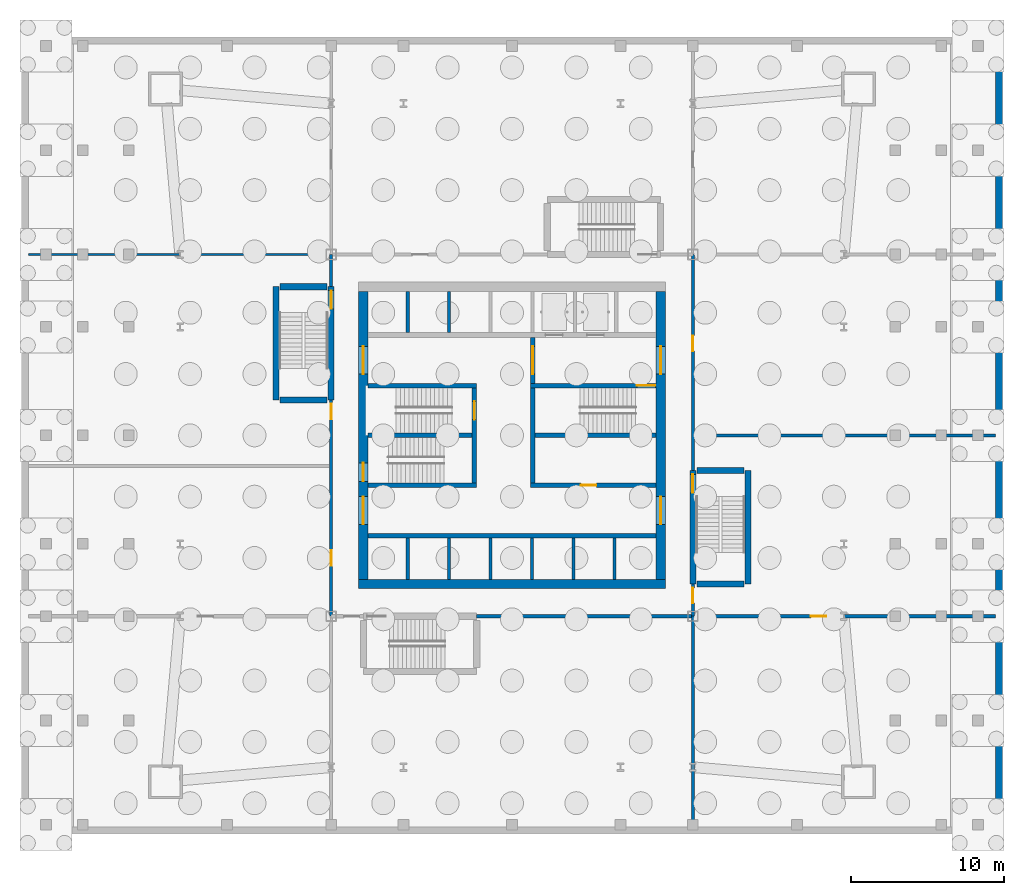
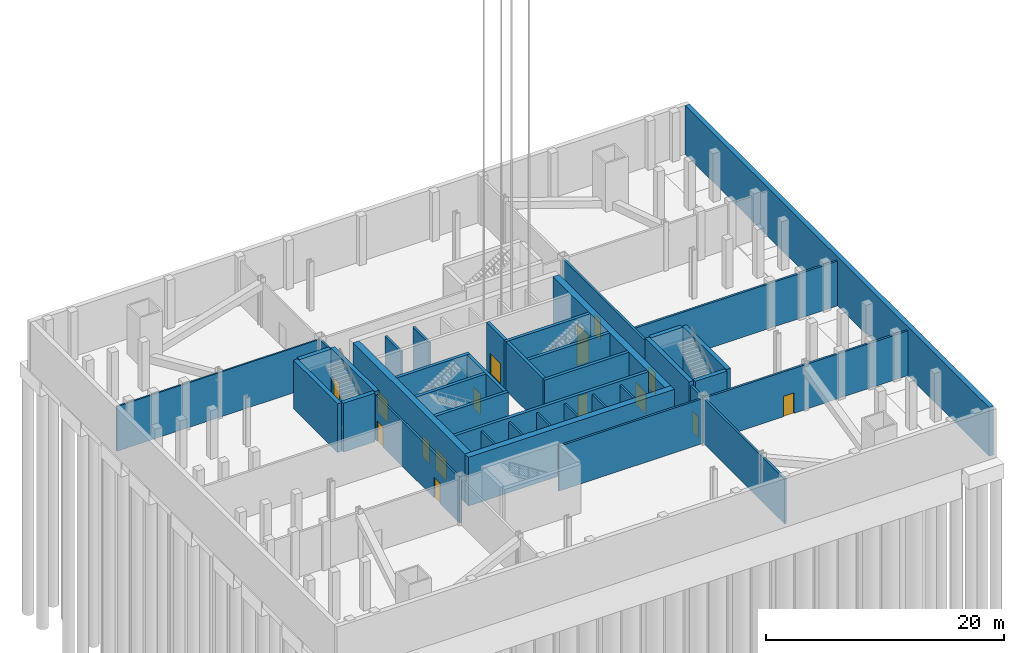
# One storey, part 3 of 8: 38 walls, 16 doors, 16 openings.
"""IFC4 building model written with IfcOpenShell, lengths in metres."""

from ifc_helpers import new_model, si_unit, direction, frame, frame_2d, origin, place, context, subcontext, project, spatial, rectangle, extrude, material, layer, layer_set, type_object, element, fill, save


model = new_model("IFC4")

# Units and contexts
model_context = context("Model", 3, precision=1e-05, world=origin(), true_north=direction((0.0, 1.0)))
body_context = subcontext(model_context, "Body", "Model", "MODEL_VIEW")
ifc_project = project(units=[si_unit("LENGTHUNIT", "METRE"), si_unit("AREAUNIT", "SQUARE_METRE"), si_unit("VOLUMEUNIT", "CUBIC_METRE"), si_unit("PLANEANGLEUNIT", "RADIAN"), si_unit("MASSUNIT", "GRAM", prefix="KILO")], contexts=[model_context])

# Site, building, storey
site_placement = place(None, origin())
site = spatial("IfcSite", under=ifc_project, at=site_placement, CompositionType="ELEMENT")
building_placement = place(site_placement, origin())
building = spatial("IfcBuilding", under=site, at=building_placement, Name="Turquesa Mirador Hotel Tower", CompositionType="ELEMENT")
storey_placement = place(building_placement, frame((0.0, 0.0, -5.0)))
storey = spatial("IfcBuildingStorey", under=building, at=storey_placement, Name="B1", CompositionType="ELEMENT", Elevation=-5.0)

# Walls
ifc_material_1 = material(Name="Concrete C50/60", Category="concrete")
ifc_layer_1 = layer(ifc_material_1, 0.300048828125)
ifc_layer_set_1 = layer_set([ifc_layer_1], Name="CORE INNER WALL 300")
wall_type_1 = type_object("IfcWallType", Name="CORE INNER WALL 300", PredefinedType="SHEAR", material=ifc_layer_set_1)
wall_1_placement = place(storey_placement, frame((45.60009765625, 38.449951171875, 0.0), z_axis=(0.0, 0.0, 1.0), x_axis=(1.0, 0.0, 0.0)))
element("IfcWall", 1, at=wall_1_placement, inside=storey, type_object=wall_type_1, Name="Core wall SL", PredefinedType="SHEAR", context=body_context, shape_type="SweptSolid", body=[
    extrude(rectangle(XDim=18.7998046875, YDim=0.300048828125, at=frame_2d((9.39990234375, 0.0))), origin(), (0.0, 0.0, 1.0), 5.0),
])
wall_2_placement = place(storey_placement, frame((45.60009765625, 48.25, 0.0), z_axis=(0.0, 0.0, 1.0), x_axis=(1.0, 0.0, 0.0)))
element("IfcWall", 2, at=wall_2_placement, inside=storey, type_object=wall_type_1, Name="Core wall MN-W", PredefinedType="SHEAR", context=body_context, shape_type="SweptSolid", body=[
    extrude(rectangle(XDim=7.099853515625, YDim=0.300048828125, at=frame_2d((3.5498046875, 0.0))), origin(), (0.0, 0.0, 1.0), 5.0),
])

# Wall, opening, door
wall_3_placement = place(storey_placement, frame((56.199951171875, 48.25, 0.0), z_axis=(0.0, 0.0, 1.0), x_axis=(1.0, 0.0, 0.0)))
wall_3 = element("IfcWall", 3, at=wall_3_placement, inside=storey, type_object=wall_type_1, Name="Core wall MN-E", PredefinedType="SHEAR", context=body_context, shape_type="SweptSolid", body=[
    extrude(rectangle(XDim=8.199951171875, YDim=0.300048828125, at=frame_2d((4.10009765625, 0.0))), origin(), (0.0, 0.0, 1.0), 5.0),
])
opening_1_placement = place(wall_3_placement, frame((6.949951171875, 0.0, 0.0)))
opening_1 = element("IfcOpeningElement", 4, at=opening_1_placement, cuts=wall_3, Name="Opening D03", PredefinedType="OPENING", context=body_context, shape_type="SweptSolid", body=[
    extrude(rectangle(XDim=1.199951171875, YDim=2.199951171875, at=frame_2d((0.60009765625, 1.10009765625))), frame((0.0, 0.159912109375, 0.0), z_axis=(0.0, -1.0, 0.0), x_axis=(1.0, 0.0, 0.0)), (0.0, 0.0, 1.0), 0.320068359375),
])
ifc_material_2 = material(Name="Steel fire door", Category="steel")
door_type_1 = type_object("IfcDoorType", Name="DOOR 1200X2200 STAIR", OperationType="SINGLE_SWING_LEFT", PredefinedType="DOOR", material=ifc_material_2)
door_1_placement = place(opening_1_placement, origin())
door_1 = element("IfcDoor", 5, at=door_1_placement, inside=storey, type_object=door_type_1, Name="Stair ST3 door", OperationType="SINGLE_SWING_LEFT", OverallHeight=2.199951171875, OverallWidth=1.199951171875, PredefinedType="DOOR", context=body_context, shape_type="SweptSolid", body=[
    extrude(rectangle(XDim=1.199951171875, YDim=2.199951171875, at=frame_2d((0.60009765625, 1.10009765625))), frame((0.0, 0.02490234375, 0.0), z_axis=(0.0, -1.0, 0.0), x_axis=(1.0, 0.0, 0.0)), (0.0, 0.0, 1.0), 0.050048828125),
])
fill(opening_1, door_1)

# Wall
wall_4_placement = place(storey_placement, frame((45.60009765625, 41.75, 0.0), z_axis=(0.0, 0.0, 1.0), x_axis=(1.0, 0.0, 0.0)))
element("IfcWall", 6, at=wall_4_placement, inside=storey, type_object=wall_type_1, Name="Core wall MS-W", PredefinedType="SHEAR", context=body_context, shape_type="SweptSolid", body=[
    extrude(rectangle(XDim=7.099853515625, YDim=0.300048828125, at=frame_2d((3.5498046875, 0.0))), origin(), (0.0, 0.0, 1.0), 5.0),
])

# Wall, opening, door
wall_5_placement = place(storey_placement, frame((56.199951171875, 41.75, 0.0), z_axis=(0.0, 0.0, 1.0), x_axis=(1.0, 0.0, 0.0)))
wall_5 = element("IfcWall", 7, at=wall_5_placement, inside=storey, type_object=wall_type_1, Name="Core wall MS-E", PredefinedType="SHEAR", context=body_context, shape_type="SweptSolid", body=[
    extrude(rectangle(XDim=8.199951171875, YDim=0.300048828125, at=frame_2d((4.10009765625, 0.0))), origin(), (0.0, 0.0, 1.0), 5.0),
])
opening_2_placement = place(wall_5_placement, frame((3.300048828125, 0.0, 0.0)))
opening_2 = element("IfcOpeningElement", 8, at=opening_2_placement, cuts=wall_5, Name="Opening D05", PredefinedType="OPENING", context=body_context, shape_type="SweptSolid", body=[
    extrude(rectangle(XDim=1.0, YDim=2.10009765625, at=frame_2d((0.5, 1.050048828125))), frame((0.0, 0.159912109375, 0.0), z_axis=(0.0, -1.0, 0.0), x_axis=(1.0, 0.0, 0.0)), (0.0, 0.0, 1.0), 0.320068359375),
])
ifc_material_3 = material(Name="Steel fire door", Category="steel")
door_type_2 = type_object("IfcDoorType", Name="DOOR 1000X2100 SERVICE", OperationType="SINGLE_SWING_LEFT", PredefinedType="DOOR", material=ifc_material_3)
door_2_placement = place(opening_2_placement, origin())
door_2 = element("IfcDoor", 9, at=door_2_placement, inside=storey, type_object=door_type_2, Name="Housekeeping room door", OperationType="SINGLE_SWING_LEFT", OverallHeight=2.10009765625, OverallWidth=1.0, PredefinedType="DOOR", context=body_context, shape_type="SweptSolid", body=[
    extrude(rectangle(XDim=1.0, YDim=2.10009765625, at=frame_2d((0.5, 1.050048828125))), frame((0.0, 0.02490234375, 0.0), z_axis=(0.0, -1.0, 0.0), x_axis=(1.0, 0.0, 0.0)), (0.0, 0.0, 1.0), 0.050048828125),
])
fill(opening_2, door_2)

wall_6_placement = place(storey_placement, frame((52.550048828125, 41.89990234375, 0.0), z_axis=(0.0, 0.0, 1.0), x_axis=(0.0, 1.0, 0.0)))
wall_6 = element("IfcWall", 10, at=wall_6_placement, inside=storey, type_object=wall_type_1, Name="Core wall PW", PredefinedType="SHEAR", context=body_context, shape_type="SweptSolid", body=[
    extrude(rectangle(XDim=6.2001953125, YDim=0.300048828125, at=frame_2d((3.10009765625, 0.0))), origin(), (0.0, 0.0, 1.0), 5.0),
])
opening_3_placement = place(wall_6_placement, frame((4.125, 0.0, 0.0)))
opening_3 = element("IfcOpeningElement", 11, at=opening_3_placement, cuts=wall_6, Name="Opening D03", PredefinedType="OPENING", context=body_context, shape_type="SweptSolid", body=[
    extrude(rectangle(XDim=1.199951171875, YDim=2.199951171875, at=frame_2d((0.60009765625, 1.10009765625))), frame((0.0, 0.159912109375, 0.0), z_axis=(0.0, -1.0, 0.0), x_axis=(1.0, 0.0, 0.0)), (0.0, 0.0, 1.0), 0.320068359375),
])
door_3_placement = place(opening_3_placement, origin())
door_3 = element("IfcDoor", 12, at=door_3_placement, inside=storey, type_object=door_type_1, Name="Stair ST1 door", OperationType="SINGLE_SWING_LEFT", OverallHeight=2.199951171875, OverallWidth=1.199951171875, PredefinedType="DOOR", context=body_context, shape_type="SweptSolid", body=[
    extrude(rectangle(XDim=1.199951171875, YDim=2.199951171875, at=frame_2d((0.60009765625, 1.10009765625))), frame((0.0, 0.02490234375, 0.0), z_axis=(0.0, -1.0, 0.0), x_axis=(1.0, 0.0, 0.0)), (0.0, 0.0, 1.0), 0.050048828125),
])
fill(opening_3, door_3)

wall_7_placement = place(storey_placement, frame((56.35009765625, 41.89990234375, 0.0), z_axis=(0.0, 0.0, 1.0), x_axis=(0.0, 1.0, 0.0)))
wall_7 = element("IfcWall", 13, at=wall_7_placement, inside=storey, type_object=wall_type_1, Name="Core wall PE", PredefinedType="SHEAR", context=body_context, shape_type="SweptSolid", body=[
    extrude(rectangle(XDim=9.5, YDim=0.300048828125, at=frame_2d((4.75, 0.0))), origin(), (0.0, 0.0, 1.0), 5.0),
])
opening_4_placement = place(wall_7_placement, frame((7.10009765625, 0.0, 0.0)))
opening_4 = element("IfcOpeningElement", 14, at=opening_4_placement, cuts=wall_7, Name="Opening D04", PredefinedType="OPENING", context=body_context, shape_type="SweptSolid", body=[
    extrude(rectangle(XDim=1.800048828125, YDim=2.199951171875, at=frame_2d((0.89990234375, 1.10009765625))), frame((0.0, 0.159912109375, 0.0), z_axis=(0.0, -1.0, 0.0), x_axis=(1.0, 0.0, 0.0)), (0.0, 0.0, 1.0), 0.320068359375),
])
ifc_material_4 = material(Name="Steel fire door pair", Category="steel")
door_type_3 = type_object("IfcDoorType", Name="DOOR 1800X2200 PAIR", OperationType="DOUBLE_DOOR_SINGLE_SWING", PredefinedType="DOOR", material=ifc_material_4)
door_4_placement = place(opening_4_placement, origin())
door_4 = element("IfcDoor", 15, at=door_4_placement, inside=storey, type_object=door_type_3, Name="Firefighting lobby inner door", OperationType="DOUBLE_DOOR_SINGLE_SWING", OverallHeight=2.199951171875, OverallWidth=1.800048828125, PredefinedType="DOOR", context=body_context, shape_type="SweptSolid", body=[
    extrude(rectangle(XDim=1.800048828125, YDim=2.199951171875, at=frame_2d((0.89990234375, 1.10009765625))), frame((0.0, 0.02490234375, 0.0), z_axis=(0.0, -1.0, 0.0), x_axis=(1.0, 0.0, 0.0)), (0.0, 0.0, 1.0), 0.050048828125),
])
fill(opening_4, door_4)

# Walls
wall_8_placement = place(storey_placement, frame((45.60009765625, 45.0, 0.0), z_axis=(0.0, 0.0, 1.0), x_axis=(1.0, 0.0, 0.0)))
element("IfcWall", 16, at=wall_8_placement, inside=storey, type_object=wall_type_1, Name="Core wall M0-W", PredefinedType="SHEAR", context=body_context, shape_type="SweptSolid", body=[
    extrude(rectangle(XDim=6.7998046875, YDim=0.300048828125, at=frame_2d((3.39990234375, 0.0))), origin(), (0.0, 0.0, 1.0), 5.0),
])
wall_9_placement = place(storey_placement, frame((56.5, 45.0, 0.0), z_axis=(0.0, 0.0, 1.0), x_axis=(1.0, 0.0, 0.0)))
element("IfcWall", 17, at=wall_9_placement, inside=storey, type_object=wall_type_1, Name="Core wall M0-E", PredefinedType="SHEAR", context=body_context, shape_type="SweptSolid", body=[
    extrude(rectangle(XDim=7.89990234375, YDim=0.300048828125, at=frame_2d((3.949951171875, 0.0))), origin(), (0.0, 0.0, 1.0), 5.0),
])
ifc_material_5 = material(Name="Concrete C50/60", Category="concrete")
ifc_layer_2 = layer(ifc_material_5, 0.60009765625)
ifc_layer_set_2 = layer_set([ifc_layer_2], Name="CORE WALL 600")
wall_type_2 = type_object("IfcWallType", Name="CORE WALL 600", PredefinedType="SHEAR", material=ifc_layer_set_2)
wall_10_placement = place(storey_placement, frame((45.0, 35.300048828125, 0.0), z_axis=(0.0, 0.0, 1.0), x_axis=(1.0, 0.0, 0.0)))
element("IfcWall", 18, at=wall_10_placement, inside=storey, type_object=wall_type_2, Name="Core wall S", PredefinedType="SHEAR", context=body_context, shape_type="SweptSolid", body=[
    extrude(rectangle(XDim=20.0, YDim=0.60009765625, at=frame_2d((10.0, 0.0))), origin(), (0.0, 0.0, 1.0), 5.0),
])

# Wall, openings, doors
wall_11_placement = place(storey_placement, frame((64.699951171875, 35.60009765625, 0.0), z_axis=(0.0, 0.0, 1.0), x_axis=(0.0, 1.0, 0.0)))
wall_11 = element("IfcWall", 19, at=wall_11_placement, inside=storey, type_object=wall_type_2, Name="Core wall E", PredefinedType="SHEAR", context=body_context, shape_type="SweptSolid", body=[
    extrude(rectangle(XDim=18.7998046875, YDim=0.60009765625, at=frame_2d((9.39990234375, 0.0))), origin(), (0.0, 0.0, 1.0), 5.0),
])
opening_5_placement = place(wall_11_placement, frame((13.39990234375, 0.0, 0.0)))
opening_5 = element("IfcOpeningElement", 20, at=opening_5_placement, cuts=wall_11, Name="Opening D04", PredefinedType="OPENING", context=body_context, shape_type="SweptSolid", body=[
    extrude(rectangle(XDim=1.800048828125, YDim=2.199951171875, at=frame_2d((0.89990234375, 1.10009765625))), frame((0.0, 0.31005859375, 0.0), z_axis=(0.0, -1.0, 0.0), x_axis=(1.0, 0.0, 0.0)), (0.0, 0.0, 1.0), 0.6201171875),
])
opening_6_placement = place(wall_11_placement, frame((3.60009765625, 0.0, 0.0)))
opening_6 = element("IfcOpeningElement", 21, at=opening_6_placement, cuts=wall_11, Name="Opening D04", PredefinedType="OPENING", context=body_context, shape_type="SweptSolid", body=[
    extrude(rectangle(XDim=1.800048828125, YDim=2.199951171875, at=frame_2d((0.89990234375, 1.10009765625))), frame((0.0, 0.31005859375, 0.0), z_axis=(0.0, -1.0, 0.0), x_axis=(1.0, 0.0, 0.0)), (0.0, 0.0, 1.0), 0.6201171875),
])
door_5_placement = place(opening_5_placement, origin())
door_5 = element("IfcDoor", 22, at=door_5_placement, inside=storey, type_object=door_type_3, Name="Firefighting lobby door", OperationType="DOUBLE_DOOR_SINGLE_SWING", OverallHeight=2.199951171875, OverallWidth=1.800048828125, PredefinedType="DOOR", context=body_context, shape_type="SweptSolid", body=[
    extrude(rectangle(XDim=1.800048828125, YDim=2.199951171875, at=frame_2d((0.89990234375, 1.10009765625))), frame((0.0, 0.02490234375, 0.0), z_axis=(0.0, -1.0, 0.0), x_axis=(1.0, 0.0, 0.0)), (0.0, 0.0, 1.0), 0.050048828125),
])
fill(opening_5, door_5)
door_6_placement = place(opening_6_placement, origin())
door_6 = element("IfcDoor", 23, at=door_6_placement, inside=storey, type_object=door_type_3, Name="South lift lobby door", OperationType="DOUBLE_DOOR_SINGLE_SWING", OverallHeight=2.199951171875, OverallWidth=1.800048828125, PredefinedType="DOOR", context=body_context, shape_type="SweptSolid", body=[
    extrude(rectangle(XDim=1.800048828125, YDim=2.199951171875, at=frame_2d((0.89990234375, 1.10009765625))), frame((0.0, 0.02490234375, 0.0), z_axis=(0.0, -1.0, 0.0), x_axis=(1.0, 0.0, 0.0)), (0.0, 0.0, 1.0), 0.050048828125),
])
fill(opening_6, door_6)

wall_12_placement = place(storey_placement, frame((45.300048828125, 35.60009765625, 0.0), z_axis=(0.0, 0.0, 1.0), x_axis=(0.0, 1.0, 0.0)))
wall_12 = element("IfcWall", 24, at=wall_12_placement, inside=storey, type_object=wall_type_2, Name="Core wall W", PredefinedType="SHEAR", context=body_context, shape_type="SweptSolid", body=[
    extrude(rectangle(XDim=18.7998046875, YDim=0.60009765625, at=frame_2d((9.39990234375, 0.0))), origin(), (0.0, 0.0, 1.0), 5.0),
])
opening_7_placement = place(wall_12_placement, frame((13.39990234375, 0.0, 0.0)))
opening_7 = element("IfcOpeningElement", 25, at=opening_7_placement, cuts=wall_12, Name="Opening D04", PredefinedType="OPENING", context=body_context, shape_type="SweptSolid", body=[
    extrude(rectangle(XDim=1.800048828125, YDim=2.199951171875, at=frame_2d((0.89990234375, 1.10009765625))), frame((0.0, 0.31005859375, 0.0), z_axis=(0.0, -1.0, 0.0), x_axis=(1.0, 0.0, 0.0)), (0.0, 0.0, 1.0), 0.6201171875),
])
opening_8_placement = place(wall_12_placement, frame((3.60009765625, 0.0, 0.0)))
opening_8 = element("IfcOpeningElement", 26, at=opening_8_placement, cuts=wall_12, Name="Opening D04", PredefinedType="OPENING", context=body_context, shape_type="SweptSolid", body=[
    extrude(rectangle(XDim=1.800048828125, YDim=2.199951171875, at=frame_2d((0.89990234375, 1.10009765625))), frame((0.0, 0.31005859375, 0.0), z_axis=(0.0, -1.0, 0.0), x_axis=(1.0, 0.0, 0.0)), (0.0, 0.0, 1.0), 0.6201171875),
])
opening_9_placement = place(wall_12_placement, frame((6.39990234375, 0.0, 0.0)))
opening_9 = element("IfcOpeningElement", 27, at=opening_9_placement, cuts=wall_12, Name="Opening D03", PredefinedType="OPENING", context=body_context, shape_type="SweptSolid", body=[
    extrude(rectangle(XDim=1.199951171875, YDim=2.199951171875, at=frame_2d((0.60009765625, 1.10009765625))), frame((0.0, 0.31005859375, 0.0), z_axis=(0.0, -1.0, 0.0), x_axis=(1.0, 0.0, 0.0)), (0.0, 0.0, 1.0), 0.6201171875),
])
door_7_placement = place(opening_9_placement, origin())
door_7 = element("IfcDoor", 28, at=door_7_placement, inside=storey, type_object=door_type_1, Name="Stair ST2 door", OperationType="SINGLE_SWING_LEFT", OverallHeight=2.199951171875, OverallWidth=1.199951171875, PredefinedType="DOOR", context=body_context, shape_type="SweptSolid", body=[
    extrude(rectangle(XDim=1.199951171875, YDim=2.199951171875, at=frame_2d((0.60009765625, 1.10009765625))), frame((0.0, 0.02490234375, 0.0), z_axis=(0.0, -1.0, 0.0), x_axis=(1.0, 0.0, 0.0)), (0.0, 0.0, 1.0), 0.050048828125),
])
fill(opening_9, door_7)
door_8_placement = place(opening_7_placement, origin())
door_8 = element("IfcDoor", 29, at=door_8_placement, inside=storey, type_object=door_type_3, Name="North lift lobby door", OperationType="DOUBLE_DOOR_SINGLE_SWING", OverallHeight=2.199951171875, OverallWidth=1.800048828125, PredefinedType="DOOR", context=body_context, shape_type="SweptSolid", body=[
    extrude(rectangle(XDim=1.800048828125, YDim=2.199951171875, at=frame_2d((0.89990234375, 1.10009765625))), frame((0.0, 0.02490234375, 0.0), z_axis=(0.0, -1.0, 0.0), x_axis=(1.0, 0.0, 0.0)), (0.0, 0.0, 1.0), 0.050048828125),
])
fill(opening_7, door_8)
door_9_placement = place(opening_8_placement, origin())
door_9 = element("IfcDoor", 30, at=door_9_placement, inside=storey, type_object=door_type_3, Name="South lift lobby door", OperationType="DOUBLE_DOOR_SINGLE_SWING", OverallHeight=2.199951171875, OverallWidth=1.800048828125, PredefinedType="DOOR", context=body_context, shape_type="SweptSolid", body=[
    extrude(rectangle(XDim=1.800048828125, YDim=2.199951171875, at=frame_2d((0.89990234375, 1.10009765625))), frame((0.0, 0.02490234375, 0.0), z_axis=(0.0, -1.0, 0.0), x_axis=(1.0, 0.0, 0.0)), (0.0, 0.0, 1.0), 0.050048828125),
])
fill(opening_8, door_9)

# Wall
ifc_material_6 = material(Name="Fire-rated gypsum board on steel studs", Category="steel")
ifc_layer_3 = layer(ifc_material_6, 0.199951171875)
ifc_layer_set_3 = layer_set([ifc_layer_3], Name="CORRIDOR WALL 200")
wall_type_3 = type_object("IfcWallType", Name="CORRIDOR WALL 200", PredefinedType="PARTITIONING", material=ifc_layer_set_3)
wall_13_placement = place(storey_placement, frame((52.699951171875, 33.199951171875, 0.0), z_axis=(0.0, 0.0, 1.0), x_axis=(1.0, 0.0, 0.0)))
element("IfcWall", 31, at=wall_13_placement, inside=storey, type_object=wall_type_3, Name="Partition B1 002", PredefinedType="PARTITIONING", context=body_context, shape_type="SweptSolid", body=[
    extrude(rectangle(XDim=14.10009765625, YDim=0.199951171875, at=frame_2d((7.050048828125, 0.0))), origin(), (0.0, 0.0, 1.0), 4.60009765625),
])

# Wall, openings, doors
wall_14_placement = place(storey_placement, frame((43.199951171875, 33.199951171875, 0.0), z_axis=(0.0, 0.0, 1.0), x_axis=(0.0, 1.0, 0.0)))
wall_14 = element("IfcWall", 32, at=wall_14_placement, inside=storey, type_object=wall_type_3, Name="Partition B1 019", PredefinedType="PARTITIONING", context=body_context, shape_type="SweptSolid", body=[
    extrude(rectangle(XDim=14.10009765625, YDim=0.199951171875, at=frame_2d((7.050048828125, 0.0))), origin(), (0.0, 0.0, 1.0), 4.60009765625),
])
opening_10_placement = place(wall_14_placement, frame((3.300048828125, 0.0, 0.0)))
opening_10 = element("IfcOpeningElement", 33, at=opening_10_placement, cuts=wall_14, Name="Opening D05", PredefinedType="OPENING", context=body_context, shape_type="SweptSolid", body=[
    extrude(rectangle(XDim=1.0, YDim=2.10009765625, at=frame_2d((0.5, 1.050048828125))), frame((0.0, 0.10986328125, 0.0), z_axis=(0.0, -1.0, 0.0), x_axis=(1.0, 0.0, 0.0)), (0.0, 0.0, 1.0), 0.219970703125),
])
opening_11_placement = place(wall_14_placement, frame((12.85009765625, 0.0, 0.0)))
opening_11 = element("IfcOpeningElement", 34, at=opening_11_placement, cuts=wall_14, Name="Opening D05", PredefinedType="OPENING", context=body_context, shape_type="SweptSolid", body=[
    extrude(rectangle(XDim=1.0, YDim=2.10009765625, at=frame_2d((0.5, 1.050048828125))), frame((0.0, 0.10986328125, 0.0), z_axis=(0.0, -1.0, 0.0), x_axis=(1.0, 0.0, 0.0)), (0.0, 0.0, 1.0), 0.219970703125),
])
door_10_placement = place(opening_10_placement, origin())
door_10 = element("IfcDoor", 35, at=door_10_placement, inside=storey, type_object=door_type_2, Name="Door B1-03", OperationType="SINGLE_SWING_LEFT", OverallHeight=2.10009765625, OverallWidth=1.0, PredefinedType="DOOR", context=body_context, shape_type="SweptSolid", body=[
    extrude(rectangle(XDim=1.0, YDim=2.10009765625, at=frame_2d((0.5, 1.050048828125))), frame((0.0, 0.02490234375, 0.0), z_axis=(0.0, -1.0, 0.0), x_axis=(1.0, 0.0, 0.0)), (0.0, 0.0, 1.0), 0.050048828125),
])
fill(opening_10, door_10)
door_11_placement = place(opening_11_placement, origin())
door_11 = element("IfcDoor", 36, at=door_11_placement, inside=storey, type_object=door_type_2, Name="Door B1-10", OperationType="SINGLE_SWING_LEFT", OverallHeight=2.10009765625, OverallWidth=1.0, PredefinedType="DOOR", context=body_context, shape_type="SweptSolid", body=[
    extrude(rectangle(XDim=1.0, YDim=2.10009765625, at=frame_2d((0.5, 1.050048828125))), frame((0.0, 0.02490234375, 0.0), z_axis=(0.0, -1.0, 0.0), x_axis=(1.0, 0.0, 0.0)), (0.0, 0.0, 1.0), 0.050048828125),
])
fill(opening_11, door_11)

# Wall
wall_15_placement = place(storey_placement, frame((43.199951171875, 54.699951171875, 0.0), z_axis=(0.0, 0.0, 1.0), x_axis=(0.0, 1.0, 0.0)))
element("IfcWall", 37, at=wall_15_placement, inside=storey, type_object=wall_type_3, Name="Partition B1 020", PredefinedType="PARTITIONING", context=body_context, shape_type="SweptSolid", body=[
    extrude(rectangle(XDim=2.10009765625, YDim=0.199951171875, at=frame_2d((1.050048828125, 0.0))), origin(), (0.0, 0.0, 1.0), 4.60009765625),
])

# Wall, opening, door
wall_16_placement = place(storey_placement, frame((66.800048828125, 33.199951171875, 0.0), z_axis=(0.0, 0.0, 1.0), x_axis=(0.0, 1.0, 0.0)))
wall_16 = element("IfcWall", 38, at=wall_16_placement, inside=storey, type_object=wall_type_3, Name="Partition B1 027", PredefinedType="PARTITIONING", context=body_context, shape_type="SweptSolid", body=[
    extrude(rectangle(XDim=2.10009765625, YDim=0.199951171875, at=frame_2d((1.050048828125, 0.0))), origin(), (0.0, 0.0, 1.0), 4.60009765625),
])
opening_12_placement = place(wall_16_placement, frame((0.85009765625, 0.0, 0.0)))
opening_12 = element("IfcOpeningElement", 39, at=opening_12_placement, cuts=wall_16, Name="Opening D05", PredefinedType="OPENING", context=body_context, shape_type="SweptSolid", body=[
    extrude(rectangle(XDim=1.0, YDim=2.10009765625, at=frame_2d((0.5, 1.050048828125))), frame((0.0, 0.10986328125, 0.0), z_axis=(0.0, -1.0, 0.0), x_axis=(1.0, 0.0, 0.0)), (0.0, 0.0, 1.0), 0.219970703125),
])
door_12_placement = place(opening_12_placement, origin())
door_12 = element("IfcDoor", 40, at=door_12_placement, inside=storey, type_object=door_type_2, Name="Door B1-05", OperationType="SINGLE_SWING_LEFT", OverallHeight=2.10009765625, OverallWidth=1.0, PredefinedType="DOOR", context=body_context, shape_type="SweptSolid", body=[
    extrude(rectangle(XDim=1.0, YDim=2.10009765625, at=frame_2d((0.5, 1.050048828125))), frame((0.0, 0.02490234375, 0.0), z_axis=(0.0, -1.0, 0.0), x_axis=(1.0, 0.0, 0.0)), (0.0, 0.0, 1.0), 0.050048828125),
])
fill(opening_12, door_12)

wall_17_placement = place(storey_placement, frame((66.800048828125, 42.699951171875, 0.0), z_axis=(0.0, 0.0, 1.0), x_axis=(0.0, 1.0, 0.0)))
wall_17 = element("IfcWall", 41, at=wall_17_placement, inside=storey, type_object=wall_type_3, Name="Partition B1 028", PredefinedType="PARTITIONING", context=body_context, shape_type="SweptSolid", body=[
    extrude(rectangle(XDim=14.10009765625, YDim=0.199951171875, at=frame_2d((7.050048828125, 0.0))), origin(), (0.0, 0.0, 1.0), 4.60009765625),
])
opening_13_placement = place(wall_17_placement, frame((7.800048828125, 0.0, 0.0)))
opening_13 = element("IfcOpeningElement", 42, at=opening_13_placement, cuts=wall_17, Name="Opening D05", PredefinedType="OPENING", context=body_context, shape_type="SweptSolid", body=[
    extrude(rectangle(XDim=1.0, YDim=2.10009765625, at=frame_2d((0.5, 1.050048828125))), frame((0.0, 0.10986328125, 0.0), z_axis=(0.0, -1.0, 0.0), x_axis=(1.0, 0.0, 0.0)), (0.0, 0.0, 1.0), 0.219970703125),
])
door_13_placement = place(opening_13_placement, origin())
door_13 = element("IfcDoor", 43, at=door_13_placement, inside=storey, type_object=door_type_2, Name="Door B1-06", OperationType="SINGLE_SWING_LEFT", OverallHeight=2.10009765625, OverallWidth=1.0, PredefinedType="DOOR", context=body_context, shape_type="SweptSolid", body=[
    extrude(rectangle(XDim=1.0, YDim=2.10009765625, at=frame_2d((0.5, 1.050048828125))), frame((0.0, 0.02490234375, 0.0), z_axis=(0.0, -1.0, 0.0), x_axis=(1.0, 0.0, 0.0)), (0.0, 0.0, 1.0), 0.050048828125),
])
fill(opening_13, door_13)

ifc_material_7 = material(Name="Fire-rated gypsum board on steel studs", Category="steel")
ifc_layer_4 = layer(ifc_material_7, 0.199951171875)
ifc_layer_set_4 = layer_set([ifc_layer_4], Name="FIRE PARTITION 200")
wall_type_4 = type_object("IfcWallType", Name="FIRE PARTITION 200", PredefinedType="PARTITIONING", material=ifc_layer_set_4)
wall_18_placement = place(storey_placement, frame((66.800048828125, 33.199951171875, 0.0), z_axis=(0.0, 0.0, 1.0), x_axis=(1.0, 0.0, 0.0)))
wall_18 = element("IfcWall", 44, at=wall_18_placement, inside=storey, type_object=wall_type_4, Name="Partition B1 004", PredefinedType="PARTITIONING", context=body_context, shape_type="SweptSolid", body=[
    extrude(rectangle(XDim=19.75, YDim=0.199951171875, at=frame_2d((9.875, 0.0))), origin(), (0.0, 0.0, 1.0), 4.60009765625),
])
opening_14_placement = place(wall_18_placement, frame((7.699951171875, 0.0, 0.0)))
opening_14 = element("IfcOpeningElement", 45, at=opening_14_placement, cuts=wall_18, Name="Opening D05", PredefinedType="OPENING", context=body_context, shape_type="SweptSolid", body=[
    extrude(rectangle(XDim=1.0, YDim=2.10009765625, at=frame_2d((0.5, 1.050048828125))), frame((0.0, 0.10986328125, 0.0), z_axis=(0.0, -1.0, 0.0), x_axis=(1.0, 0.0, 0.0)), (0.0, 0.0, 1.0), 0.219970703125),
])
door_14_placement = place(opening_14_placement, origin())
door_14 = element("IfcDoor", 46, at=door_14_placement, inside=storey, type_object=door_type_2, Name="Door B1-04", OperationType="SINGLE_SWING_LEFT", OverallHeight=2.10009765625, OverallWidth=1.0, PredefinedType="DOOR", context=body_context, shape_type="SweptSolid", body=[
    extrude(rectangle(XDim=1.0, YDim=2.10009765625, at=frame_2d((0.5, 1.050048828125))), frame((0.0, 0.02490234375, 0.0), z_axis=(0.0, -1.0, 0.0), x_axis=(1.0, 0.0, 0.0)), (0.0, 0.0, 1.0), 0.050048828125),
])
fill(opening_14, door_14)

# Walls
wall_19_placement = place(storey_placement, frame((66.800048828125, 45.0, 0.0), z_axis=(0.0, 0.0, 1.0), x_axis=(1.0, 0.0, 0.0)))
element("IfcWall", 47, at=wall_19_placement, inside=storey, type_object=wall_type_4, Name="Partition B1 010", PredefinedType="PARTITIONING", context=body_context, shape_type="SweptSolid", body=[
    extrude(rectangle(XDim=19.75, YDim=0.199951171875, at=frame_2d((9.875, 0.0))), origin(), (0.0, 0.0, 1.0), 4.60009765625),
])
wall_20_placement = place(storey_placement, frame((66.800048828125, 19.449951171875, 0.0), z_axis=(0.0, 0.0, 1.0), x_axis=(0.0, 1.0, 0.0)))
element("IfcWall", 48, at=wall_20_placement, inside=storey, type_object=wall_type_4, Name="Partition B1 029", PredefinedType="PARTITIONING", context=body_context, shape_type="SweptSolid", body=[
    extrude(rectangle(XDim=13.75, YDim=0.199951171875, at=frame_2d((6.875, 0.0))), origin(), (0.0, 0.0, 1.0), 4.60009765625),
])
ifc_material_8 = material(Name="Fire-rated gypsum shaft wall on steel studs", Category="steel")
ifc_layer_5 = layer(ifc_material_8, 0.199951171875)
ifc_layer_set_5 = layer_set([ifc_layer_5], Name="LIFT SHAFT DIVIDER 200")
wall_type_5 = type_object("IfcWallType", Name="LIFT SHAFT DIVIDER 200", PredefinedType="PARTITIONING", material=ifc_layer_set_5)
for number, where, z_axis, x_axis, name in (
    (49, (48.199951171875, 51.699951171875, 0.0), (0.0, 0.0, 1.0), (0.0, 1.0, 0.0), "Lift shaft divider"),
    (50, (50.89990234375, 51.699951171875, 0.0), (0.0, 0.0, 1.0), (0.0, 1.0, 0.0), "Lift shaft divider"),
    (51, (48.199951171875, 35.60009765625, 0.0), (0.0, 0.0, 1.0), (0.0, 1.0, 0.0), "Lift shaft divider"),
    (52, (50.89990234375, 35.60009765625, 0.0), (0.0, 0.0, 1.0), (0.0, 1.0, 0.0), "Lift shaft divider"),
    (53, (53.60009765625, 35.60009765625, 0.0), (0.0, 0.0, 1.0), (0.0, 1.0, 0.0), "Lift shaft divider"),
    (54, (56.300048828125, 35.60009765625, 0.0), (0.0, 0.0, 1.0), (0.0, 1.0, 0.0), "Lift shaft divider"),
    (55, (59.0, 35.60009765625, 0.0), (0.0, 0.0, 1.0), (0.0, 1.0, 0.0), "Lift shaft divider"),
    (56, (61.699951171875, 35.60009765625, 0.0), (0.0, 0.0, 1.0), (0.0, 1.0, 0.0), "Lift shaft divider"),
):
    element("IfcWall", number, at=place(storey_placement, frame(where, z_axis=z_axis, x_axis=x_axis)), inside=storey, type_object=wall_type_5, Name=name, PredefinedType="PARTITIONING", context=body_context, shape_type="SweptSolid", body=[
        extrude(rectangle(XDim=2.699951171875, YDim=0.199951171875, at=frame_2d((1.35009765625, 0.0))), origin(), (0.0, 0.0, 1.0), 4.60009765625),
    ])
ifc_material_9 = material(Name="Gypsum board on steel studs", Category="steel")
ifc_layer_6 = layer(ifc_material_9, 0.14990234375)
ifc_layer_set_6 = layer_set([ifc_layer_6], Name="PARTITION 150")
wall_type_6 = type_object("IfcWallType", Name="PARTITION 150", PredefinedType="PARTITIONING", material=ifc_layer_set_6)
wall_21_placement = place(storey_placement, frame((23.449951171875, 56.800048828125, 0.0), z_axis=(0.0, 0.0, 1.0), x_axis=(1.0, 0.0, 0.0)))
element("IfcWall", 57, at=wall_21_placement, inside=storey, type_object=wall_type_6, Name="Partition B1 014", PredefinedType="PARTITIONING", context=body_context, shape_type="SweptSolid", body=[
    extrude(rectangle(XDim=19.75, YDim=0.14990234375, at=frame_2d((9.875, 0.0))), origin(), (0.0, 0.0, 1.0), 4.60009765625),
])
ifc_material_10 = material(Name="Concrete C50/60", Category="concrete")
ifc_layer_7 = layer(ifc_material_10, 0.449951171875)
ifc_layer_set_7 = layer_set([ifc_layer_7], Name="RETAINING WALL 450")
wall_type_7 = type_object("IfcWallType", Name="RETAINING WALL 450", PredefinedType="SOLIDWALL", material=ifc_layer_set_7)
wall_22_placement = place(storey_placement, frame((86.77490234375, 19.449951171875, 0.0), z_axis=(0.0, 0.0, 1.0), x_axis=(0.0, 1.0, 0.0)))
element("IfcWall", 58, at=wall_22_placement, inside=storey, type_object=wall_type_7, Name="Basement retaining wall E", PredefinedType="SOLIDWALL", context=body_context, shape_type="SweptSolid", body=[
    extrude(rectangle(XDim=51.10009765625, YDim=0.449951171875, at=frame_2d((25.550048828125, 0.0))), origin(), (0.0, 0.0, 1.0), 5.0),
])
ifc_material_11 = material(Name="Concrete C50/60", Category="concrete")
ifc_layer_8 = layer(ifc_material_11, 0.39990234375)
ifc_layer_set_8 = layer_set([ifc_layer_8], Name="STAIR WALL 400")
wall_type_8 = type_object("IfcWallType", Name="STAIR WALL 400", PredefinedType="SHEAR", material=ifc_layer_set_8)
for number, where, z_axis, x_axis, name in (
    (59, (67.070068359375, 42.699951171875, 0.0), (0.0, 0.0, 1.0), (1.0, 0.0, 0.0), "Stair wall B1 008"),
    (60, (67.070068359375, 35.300048828125, 0.0), (0.0, 0.0, 1.0), (1.0, 0.0, 0.0), "Stair wall B1 009"),
    (61, (39.8701171875, 47.300048828125, 0.0), (0.0, 0.0, 1.0), (1.0, 0.0, 0.0), "Stair wall B1 017"),
    (62, (39.8701171875, 54.699951171875, 0.0), (0.0, 0.0, 1.0), (1.0, 0.0, 0.0), "Stair wall B1 018"),
):
    element("IfcWall", number, at=place(storey_placement, frame(where, z_axis=z_axis, x_axis=x_axis)), inside=storey, type_object=wall_type_8, Name=name, PredefinedType="SHEAR", context=body_context, shape_type="SweptSolid", body=[
        extrude(rectangle(XDim=3.059814453125, YDim=0.39990234375, at=frame_2d((1.52978515625, 0.0))), origin(), (0.0, 0.0, 1.0), 5.0),
    ])

# Wall, opening, door
wall_23_placement = place(storey_placement, frame((43.199951171875, 47.300048828125, 0.0), z_axis=(0.0, 0.0, 1.0), x_axis=(0.0, 1.0, 0.0)))
wall_23 = element("IfcWall", 63, at=wall_23_placement, inside=storey, type_object=wall_type_8, Name="Stair wall B1 023", PredefinedType="SHEAR", context=body_context, shape_type="SweptSolid", body=[
    extrude(rectangle(XDim=7.39990234375, YDim=0.39990234375, at=frame_2d((3.699951171875, 0.0))), origin(), (0.0, 0.0, 1.0), 5.0),
])
opening_15_placement = place(wall_23_placement, frame((5.949951171875, 0.0, 0.0)))
opening_15 = element("IfcOpeningElement", 64, at=opening_15_placement, cuts=wall_23, Name="Opening D03", PredefinedType="OPENING", context=body_context, shape_type="SweptSolid", body=[
    extrude(rectangle(XDim=1.199951171875, YDim=2.199951171875, at=frame_2d((0.60009765625, 1.10009765625))), frame((0.0, 0.2099609375, 0.0), z_axis=(0.0, -1.0, 0.0), x_axis=(1.0, 0.0, 0.0)), (0.0, 0.0, 1.0), 0.419921875),
])
door_15_placement = place(opening_15_placement, origin())
door_15 = element("IfcDoor", 65, at=door_15_placement, inside=storey, type_object=door_type_1, Name="Door B1-PS4", OperationType="SINGLE_SWING_LEFT", OverallHeight=2.199951171875, OverallWidth=1.199951171875, PredefinedType="DOOR", context=body_context, shape_type="SweptSolid", body=[
    extrude(rectangle(XDim=1.199951171875, YDim=2.199951171875, at=frame_2d((0.60009765625, 1.10009765625))), frame((0.0, 0.02490234375, 0.0), z_axis=(0.0, -1.0, 0.0), x_axis=(1.0, 0.0, 0.0)), (0.0, 0.0, 1.0), 0.050048828125),
])
fill(opening_15, door_15)

# Wall
wall_24_placement = place(storey_placement, frame((39.60009765625, 47.300048828125, 0.0), z_axis=(0.0, 0.0, 1.0), x_axis=(0.0, 1.0, 0.0)))
element("IfcWall", 66, at=wall_24_placement, inside=storey, type_object=wall_type_8, Name="Stair wall B1 024", PredefinedType="SHEAR", context=body_context, shape_type="SweptSolid", body=[
    extrude(rectangle(XDim=7.39990234375, YDim=0.39990234375, at=frame_2d((3.699951171875, 0.0))), origin(), (0.0, 0.0, 1.0), 5.0),
])

# Wall, opening, door
wall_25_placement = place(storey_placement, frame((66.800048828125, 35.300048828125, 0.0), z_axis=(0.0, 0.0, 1.0), x_axis=(0.0, 1.0, 0.0)))
wall_25 = element("IfcWall", 67, at=wall_25_placement, inside=storey, type_object=wall_type_8, Name="Stair wall B1 031", PredefinedType="SHEAR", context=body_context, shape_type="SweptSolid", body=[
    extrude(rectangle(XDim=7.39990234375, YDim=0.39990234375, at=frame_2d((3.699951171875, 0.0))), origin(), (0.0, 0.0, 1.0), 5.0),
])
opening_16_placement = place(wall_25_placement, frame((5.949951171875, 0.0, 0.0)))
opening_16 = element("IfcOpeningElement", 68, at=opening_16_placement, cuts=wall_25, Name="Opening D03", PredefinedType="OPENING", context=body_context, shape_type="SweptSolid", body=[
    extrude(rectangle(XDim=1.199951171875, YDim=2.199951171875, at=frame_2d((0.60009765625, 1.10009765625))), frame((0.0, 0.2099609375, 0.0), z_axis=(0.0, -1.0, 0.0), x_axis=(1.0, 0.0, 0.0)), (0.0, 0.0, 1.0), 0.419921875),
])
door_16_placement = place(opening_16_placement, origin())
door_16 = element("IfcDoor", 69, at=door_16_placement, inside=storey, type_object=door_type_1, Name="Door B1-PS3", OperationType="SINGLE_SWING_LEFT", OverallHeight=2.199951171875, OverallWidth=1.199951171875, PredefinedType="DOOR", context=body_context, shape_type="SweptSolid", body=[
    extrude(rectangle(XDim=1.199951171875, YDim=2.199951171875, at=frame_2d((0.60009765625, 1.10009765625))), frame((0.0, 0.02490234375, 0.0), z_axis=(0.0, -1.0, 0.0), x_axis=(1.0, 0.0, 0.0)), (0.0, 0.0, 1.0), 0.050048828125),
])
fill(opening_16, door_16)

# Wall
wall_26_placement = place(storey_placement, frame((70.39990234375, 35.300048828125, 0.0), z_axis=(0.0, 0.0, 1.0), x_axis=(0.0, 1.0, 0.0)))
element("IfcWall", 70, at=wall_26_placement, inside=storey, type_object=wall_type_8, Name="Stair wall B1 032", PredefinedType="SHEAR", context=body_context, shape_type="SweptSolid", body=[
    extrude(rectangle(XDim=7.39990234375, YDim=0.39990234375, at=frame_2d((3.699951171875, 0.0))), origin(), (0.0, 0.0, 1.0), 5.0),
])

save(model, "model.ifc")
